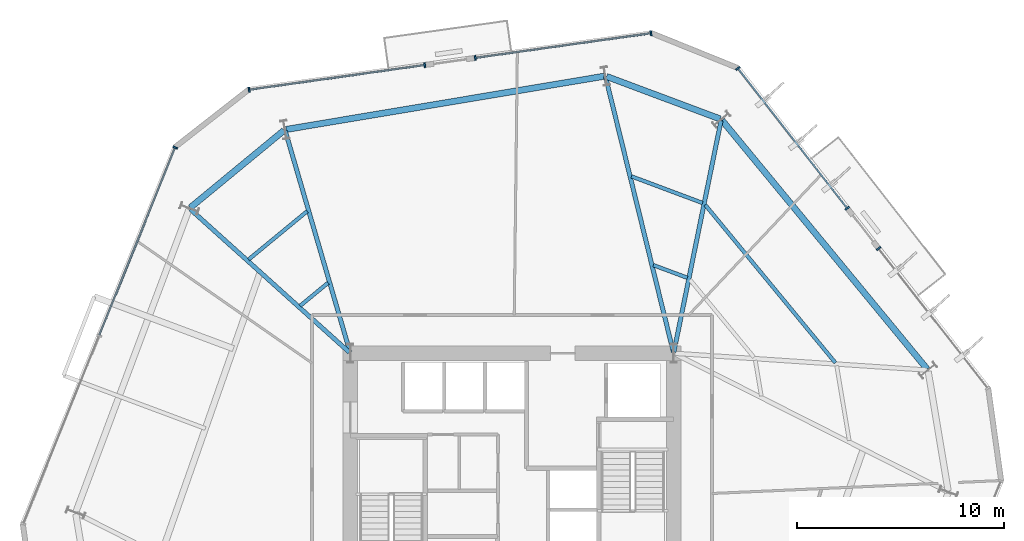
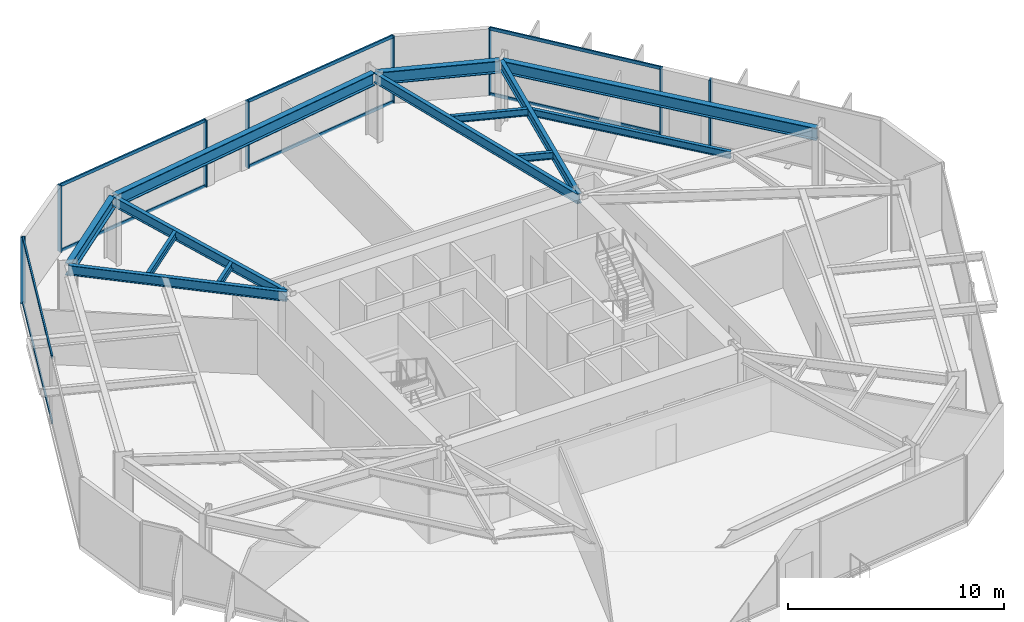
# One storey, part 4 of 10: 16 members, 13 beams, 5 elements without a shape of their own.
"""IFC4 building model written with IfcOpenShell, lengths in metres."""

from ifc_helpers import new_model, si_unit, direction, frame, origin, origin_2d, place, context, subcontext, project, spatial, rectangle, i_section, extrude, material, layer, layer_set, material_profile, profile_set, type_object, element, aggregate, save


model = new_model("IFC4")

# Units and contexts
model_context = context("Model", 3, precision=1e-05, world=origin(), true_north=direction((0.0, 1.0)))
body_context = subcontext(model_context, "Body", "Model", "MODEL_VIEW")
ifc_project = project(units=[si_unit("LENGTHUNIT", "METRE"), si_unit("AREAUNIT", "SQUARE_METRE"), si_unit("VOLUMEUNIT", "CUBIC_METRE"), si_unit("PLANEANGLEUNIT", "RADIAN"), si_unit("MASSUNIT", "GRAM", prefix="KILO")], contexts=[model_context])

# Site, building, storey
site_placement = place(None, origin())
site = spatial("IfcSite", under=ifc_project, at=site_placement, CompositionType="ELEMENT")
building_placement = place(site_placement, origin())
building = spatial("IfcBuilding", under=site, at=building_placement, Name="Kranzbogen Civic Tower", CompositionType="ELEMENT")
storey_placement = place(building_placement, frame((0.0, 0.0, 52.0)))
storey = spatial("IfcBuildingStorey", under=building, at=storey_placement, Name="L12", CompositionType="ELEMENT", Elevation=52.0)

# Curtain wall, member
ifc_material_1 = material(Name="Pale Anodised Aluminium", Category="aluminium")
ifc_layer = layer(ifc_material_1, 0.219970703125, Name="Pale Anodised Aluminium")
ifc_layer_set = layer_set([ifc_layer], Name="Pale Anodised Aluminium")
curtain_wall_type = type_object("IfcCurtainWallType", Name="Zone 1 Stick Curtain Wall System CW-02", PredefinedType="USERDEFINED", material=ifc_layer_set)
curtain_wall_1_placement = place(storey_placement, origin())
curtain_wall_1 = element("IfcCurtainWall", 1, at=curtain_wall_1_placement, inside=storey, type_object=curtain_wall_type, Name="L12 curtain wall CW-L12-F1-S1", ObjectType="STICK CURTAIN WALL", PredefinedType="USERDEFINED")
ifc_material_profile_1 = material_profile(ifc_material_1, rectangle(XDim=0.080078125, YDim=0.239990234375, at=origin_2d()), Name="ALU-M 80x240")
ifc_profile_set_1 = profile_set([ifc_material_profile_1], Name="Pale Anodised Aluminium")
member_type_1 = type_object("IfcMemberType", Name="Curtain Wall Mullion ALU-M 80x240", PredefinedType="MULLION", material=ifc_profile_set_1)
member_1_placement = place(storey_placement, frame((42.6884765625, 37.25830078125, 0.0), z_axis=(0.0, 0.0, 1.0), x_axis=(-0.615657546706, 0.788013822965, 0.0)))
member_1 = element("IfcMember", 2, at=member_1_placement, type_object=member_type_1, Name="CW-02 mullion 2", PredefinedType="MULLION", context=body_context, shape_type="SweptSolid", body=[
    extrude(rectangle(XDim=0.080078125, YDim=0.239990234375, at=origin_2d()), origin(), (0.0, 0.0, 1.0), 3.760009765625),
])
aggregate(curtain_wall_1, [member_1])

# Curtain wall, members
curtain_wall_2_placement = place(storey_placement, origin())
curtain_wall_2 = element("IfcCurtainWall", 3, at=curtain_wall_2_placement, inside=storey, type_object=curtain_wall_type, Name="L12 curtain wall CW-L12-F1-S2", ObjectType="STICK CURTAIN WALL", PredefinedType="USERDEFINED")
member_2_placement = place(storey_placement, frame((41.173583984375, 39.196533203125, 0.0), z_axis=(0.0, 0.0, 1.0), x_axis=(-0.615657546706, 0.788013822965, 0.0)))
member_2 = element("IfcMember", 4, at=member_2_placement, type_object=member_type_1, Name="CW-02 mullion 1", PredefinedType="MULLION", context=body_context, shape_type="SweptSolid", body=[
    extrude(rectangle(XDim=0.080078125, YDim=0.239990234375, at=origin_2d()), origin(), (0.0, 0.0, 1.0), 3.760009765625),
])
member_3_placement = place(storey_placement, frame((35.902587890625, 45.943359375, 0.0), z_axis=(0.0, 0.0, 1.0), x_axis=(-0.615657546706, 0.788013822965, 0.0)))
member_3 = element("IfcMember", 5, at=member_3_placement, type_object=member_type_1, Name="CW-02 mullion 2", PredefinedType="MULLION", context=body_context, shape_type="SweptSolid", body=[
    extrude(rectangle(XDim=0.080078125, YDim=0.239990234375, at=origin_2d()), origin(), (0.0, 0.0, 1.0), 3.760009765625),
])

curtain_wall_3_placement = place(storey_placement, origin())
curtain_wall_3 = element("IfcCurtainWall", 6, at=curtain_wall_3_placement, inside=storey, type_object=curtain_wall_type, Name="L12 curtain wall CW-L12-F2-S1", ObjectType="STICK CURTAIN WALL", PredefinedType="USERDEFINED")
member_4_placement = place(storey_placement, frame((31.706298828125, 47.638916015625, 0.0), z_axis=(0.0, 0.0, 1.0), x_axis=(-0.990267072018, -0.139180192835, 0.0)))
member_4 = element("IfcMember", 7, at=member_4_placement, type_object=member_type_1, Name="CW-02 mullion 1", PredefinedType="MULLION", context=body_context, shape_type="SweptSolid", body=[
    extrude(rectangle(XDim=0.080078125, YDim=0.239990234375, at=origin_2d()), origin(), (0.0, 0.0, 1.0), 3.760009765625),
])
member_5_placement = place(storey_placement, frame((23.227783203125, 46.447265625, 0.0), z_axis=(0.0, 0.0, 1.0), x_axis=(-0.990267072018, -0.139180192835, 0.0)))
member_5 = element("IfcMember", 8, at=member_5_placement, type_object=member_type_1, Name="CW-02 mullion 2", PredefinedType="MULLION", context=body_context, shape_type="SweptSolid", body=[
    extrude(rectangle(XDim=0.080078125, YDim=0.239990234375, at=origin_2d()), origin(), (0.0, 0.0, 1.0), 3.760009765625),
])

curtain_wall_4_placement = place(storey_placement, origin())
curtain_wall_4 = element("IfcCurtainWall", 9, at=curtain_wall_4_placement, inside=storey, type_object=curtain_wall_type, Name="L12 curtain wall CW-L12-F2-S2", ObjectType="STICK CURTAIN WALL", PredefinedType="USERDEFINED")
member_6_placement = place(storey_placement, frame((20.792236328125, 46.104736328125, 0.0), z_axis=(0.0, 0.0, 1.0), x_axis=(-0.990269318362, -0.139164209161, 0.0)))
member_6 = element("IfcMember", 10, at=member_6_placement, type_object=member_type_1, Name="CW-02 mullion 1", PredefinedType="MULLION", context=body_context, shape_type="SweptSolid", body=[
    extrude(rectangle(XDim=0.080078125, YDim=0.239990234375, at=origin_2d()), origin(), (0.0, 0.0, 1.0), 3.760009765625),
])
member_7_placement = place(storey_placement, frame((12.312744140625, 44.9130859375, 0.0), z_axis=(0.0, 0.0, 1.0), x_axis=(-0.990269318362, -0.139164209161, 0.0)))
member_7 = element("IfcMember", 11, at=member_7_placement, type_object=member_type_1, Name="CW-02 mullion 2", PredefinedType="MULLION", context=body_context, shape_type="SweptSolid", body=[
    extrude(rectangle(XDim=0.080078125, YDim=0.239990234375, at=origin_2d()), origin(), (0.0, 0.0, 1.0), 3.760009765625),
])

# Curtain wall, member
curtain_wall_5_placement = place(storey_placement, origin())
curtain_wall_5 = element("IfcCurtainWall", 12, at=curtain_wall_5_placement, inside=storey, type_object=curtain_wall_type, Name="L12 curtain wall CW-L12-F3", ObjectType="STICK CURTAIN WALL", PredefinedType="USERDEFINED")
member_8_placement = place(storey_placement, frame((8.746826171875, 42.127197265625, 0.0), z_axis=(0.0, 0.0, 1.0), x_axis=(-0.374583413468, -0.927193219537, 0.0)))
member_8 = element("IfcMember", 13, at=member_8_placement, type_object=member_type_1, Name="CW-02 mullion 1", PredefinedType="MULLION", context=body_context, shape_type="SweptSolid", body=[
    extrude(rectangle(XDim=0.080078125, YDim=0.239990234375, at=origin_2d()), origin(), (0.0, 0.0, 1.0), 3.760009765625),
])

# Member
ifc_material_profile_2 = material_profile(ifc_material_1, rectangle(XDim=0.080078125, YDim=0.179931640625, at=origin_2d()), Name="ALU-T 80x180")
ifc_profile_set_2 = profile_set([ifc_material_profile_2], Name="Pale Anodised Aluminium")
member_type_2 = type_object("IfcMemberType", Name="Curtain Wall Transom ALU-T 80x180", PredefinedType="USERDEFINED", material=ifc_profile_set_2)
member_9_placement = place(storey_placement, frame((41.155029296875, 39.22021484375, 0.030029296875), z_axis=(-0.615656859038, 0.788014360224, 0.0), x_axis=(-0.788014360224, -0.615656859038, 0.0)))
member_9 = element("IfcMember", 14, at=member_9_placement, type_object=member_type_2, Name="CW-02 transom 1.1", ObjectType="TRANSOM", PredefinedType="USERDEFINED", context=body_context, shape_type="SweptSolid", body=[
    extrude(rectangle(XDim=0.080078125, YDim=0.179931640625, at=origin_2d()), origin(), (0.0, 0.0, 1.0), 8.501708984375),
])

member_10_placement = place(storey_placement, frame((41.155029296875, 39.22021484375, 3.72998046875), z_axis=(-0.615656859038, 0.788014360224, 0.0), x_axis=(-0.788014360224, -0.615656859038, 0.0)))
member_10 = element("IfcMember", 15, at=member_10_placement, type_object=member_type_2, Name="CW-02 transom 1.2", ObjectType="TRANSOM", PredefinedType="USERDEFINED", context=body_context, shape_type="SweptSolid", body=[
    extrude(rectangle(XDim=0.080078125, YDim=0.179931640625, at=origin_2d()), origin(), (0.0, 0.0, 1.0), 8.501708984375),
])

aggregate(curtain_wall_2, [member_2, member_3, member_9, member_10])

member_11_placement = place(storey_placement, frame((31.676513671875, 47.634765625, 0.030029296875), z_axis=(-0.990266290459, -0.139185753512, 0.0), x_axis=(0.139185753512, -0.990266290459, 0.0)))
member_11 = element("IfcMember", 16, at=member_11_placement, type_object=member_type_2, Name="CW-02 transom 1.1", ObjectType="TRANSOM", PredefinedType="USERDEFINED", context=body_context, shape_type="SweptSolid", body=[
    extrude(rectangle(XDim=0.080078125, YDim=0.179931640625, at=origin_2d()), origin(), (0.0, 0.0, 1.0), 8.501953125),
])

member_12_placement = place(storey_placement, frame((31.676513671875, 47.634765625, 3.72998046875), z_axis=(-0.990266290459, -0.139185753512, 0.0), x_axis=(0.139185753512, -0.990266290459, 0.0)))
member_12 = element("IfcMember", 17, at=member_12_placement, type_object=member_type_2, Name="CW-02 transom 1.2", ObjectType="TRANSOM", PredefinedType="USERDEFINED", context=body_context, shape_type="SweptSolid", body=[
    extrude(rectangle(XDim=0.080078125, YDim=0.179931640625, at=origin_2d()), origin(), (0.0, 0.0, 1.0), 8.501953125),
])

aggregate(curtain_wall_3, [member_4, member_5, member_11, member_12])

member_13_placement = place(storey_placement, frame((20.7626953125, 46.1005859375, 0.030029296875), z_axis=(-0.990268515291, -0.139169923559, 0.0), x_axis=(0.139169923559, -0.990268515291, 0.0)))
member_13 = element("IfcMember", 18, at=member_13_placement, type_object=member_type_2, Name="CW-02 transom 1.1", ObjectType="TRANSOM", PredefinedType="USERDEFINED", context=body_context, shape_type="SweptSolid", body=[
    extrude(rectangle(XDim=0.080078125, YDim=0.179931640625, at=origin_2d()), origin(), (0.0, 0.0, 1.0), 8.5029296875),
])

member_14_placement = place(storey_placement, frame((20.7626953125, 46.1005859375, 3.72998046875), z_axis=(-0.990268515291, -0.139169923559, 0.0), x_axis=(0.139169923559, -0.990268515291, 0.0)))
member_14 = element("IfcMember", 19, at=member_14_placement, type_object=member_type_2, Name="CW-02 transom 1.2", ObjectType="TRANSOM", PredefinedType="USERDEFINED", context=body_context, shape_type="SweptSolid", body=[
    extrude(rectangle(XDim=0.080078125, YDim=0.179931640625, at=origin_2d()), origin(), (0.0, 0.0, 1.0), 8.5029296875),
])

aggregate(curtain_wall_4, [member_6, member_7, member_13, member_14])

member_15_placement = place(storey_placement, frame((8.735595703125, 42.099365234375, 0.030029296875), z_axis=(-0.374584999088, -0.927192578949, 0.0), x_axis=(0.927192578949, -0.374584999088, 0.0)))
member_15 = element("IfcMember", 20, at=member_15_placement, type_object=member_type_2, Name="CW-02 transom 1.1", ObjectType="TRANSOM", PredefinedType="USERDEFINED", context=body_context, shape_type="SweptSolid", body=[
    extrude(rectangle(XDim=0.080078125, YDim=0.179931640625, at=origin_2d()), origin(), (0.0, 0.0, 1.0), 9.7314453125),
])

member_16_placement = place(storey_placement, frame((8.735595703125, 42.099365234375, 3.72998046875), z_axis=(-0.374584999088, -0.927192578949, 0.0), x_axis=(0.927192578949, -0.374584999088, 0.0)))
member_16 = element("IfcMember", 21, at=member_16_placement, type_object=member_type_2, Name="CW-02 transom 1.2", ObjectType="TRANSOM", PredefinedType="USERDEFINED", context=body_context, shape_type="SweptSolid", body=[
    extrude(rectangle(XDim=0.080078125, YDim=0.179931640625, at=origin_2d()), origin(), (0.0, 0.0, 1.0), 9.7314453125),
])

aggregate(curtain_wall_5, [member_8, member_15, member_16])

# Beams
ifc_material_2 = material(Name="Steel S355", Category="steel")
ifc_material_profile_3 = material_profile(ifc_material_2, i_section(OverallWidth=0.300048828125, OverallDepth=0.699951171875, WebThickness=0.01708984375, FlangeThickness=0.031982421875, at=origin_2d()), Name="HEB 700")
ifc_profile_set_3 = profile_set([ifc_material_profile_3], Name="Steel S355")
beam_type_1 = type_object("IfcBeamType", Name="Perimeter Tube Spandrel Beam HEB 700", PredefinedType="SPANDREL", material=ifc_profile_set_3)
beam_1_placement = place(storey_placement, frame((45.033935546875, 31.431884765625, 3.409912109375), z_axis=(-0.636074572579, 0.771627590304, 0.0), x_axis=(-0.771627590304, -0.636074572579, 0.0)))
element("IfcBeam", 22, at=beam_1_placement, inside=storey, type_object=beam_type_1, Name="L12 perimeter spandrel beam 08", PredefinedType="SPANDREL", context=body_context, shape_type="SweptSolid", body=[
    extrude(i_section(OverallWidth=0.300048828125, OverallDepth=0.699951171875, WebThickness=0.01708984375, FlangeThickness=0.031982421875, at=origin_2d()), origin(), (0.0, 0.0, 1.0), 15.5595703125),
])
beam_2_placement = place(storey_placement, frame((35.04296875, 43.5048828125, 3.409912109375), z_axis=(-0.936647646965, 0.350273015568, 0.0), x_axis=(-0.350273015568, -0.936647646965, 0.0)))
element("IfcBeam", 23, at=beam_2_placement, inside=storey, type_object=beam_type_1, Name="L12 perimeter spandrel beam 09", PredefinedType="SPANDREL", context=body_context, shape_type="SweptSolid", body=[
    extrude(i_section(OverallWidth=0.300048828125, OverallDepth=0.699951171875, WebThickness=0.01708984375, FlangeThickness=0.031982421875, at=origin_2d()), origin(), (0.0, 0.0, 1.0), 5.852783203125),
])
beam_3_placement = place(storey_placement, frame((29.446044921875, 45.56591796875, 3.409912109375), z_axis=(-0.986285563243, -0.165047834697, 0.0), x_axis=(0.165047834697, -0.986285563243, 0.0)))
element("IfcBeam", 24, at=beam_3_placement, inside=storey, type_object=beam_type_1, Name="L12 perimeter spandrel beam 10", PredefinedType="SPANDREL", context=body_context, shape_type="SweptSolid", body=[
    extrude(i_section(OverallWidth=0.300048828125, OverallDepth=0.699951171875, WebThickness=0.01708984375, FlangeThickness=0.031982421875, at=origin_2d()), origin(), (0.0, 0.0, 1.0), 15.558349609375),
])
beam_4_placement = place(storey_placement, frame((13.99609375, 42.949951171875, 3.409912109375), z_axis=(-0.77168336865, -0.636006901337, 0.0), x_axis=(0.636006901337, -0.77168336865, 0.0)))
element("IfcBeam", 25, at=beam_4_placement, inside=storey, type_object=beam_type_1, Name="L12 perimeter spandrel beam 11", PredefinedType="SPANDREL", context=body_context, shape_type="SweptSolid", body=[
    extrude(i_section(OverallWidth=0.300048828125, OverallDepth=0.699951171875, WebThickness=0.01708984375, FlangeThickness=0.031982421875, at=origin_2d()), origin(), (0.0, 0.0, 1.0), 5.853515625),
])
ifc_material_profile_4 = material_profile(ifc_material_2, i_section(OverallWidth=0.2099609375, OverallDepth=0.550048828125, WebThickness=0.010986328125, FlangeThickness=0.01708984375, at=origin_2d()), Name="IPE 550")
ifc_profile_set_4 = profile_set([ifc_material_profile_4], Name="Steel S355")
beam_type_2 = type_object("IfcBeamType", Name="Radial Tower Floor Girder IPE 550", PredefinedType="BEAM", material=ifc_profile_set_4)
beam_5_placement = place(storey_placement, frame((35.0869140625, 43.425048828125, 3.485107421875), z_axis=(-0.199633433694, -0.979870650725, 0.0), x_axis=(0.979870650725, -0.199633433694, 0.0)))
element("IfcBeam", 26, at=beam_5_placement, inside=storey, type_object=beam_type_2, Name="L12 radial floor girder 09", PredefinedType="BEAM", context=body_context, shape_type="SweptSolid", body=[
    extrude(i_section(OverallWidth=0.2099609375, OverallDepth=0.550048828125, WebThickness=0.010986328125, FlangeThickness=0.01708984375, at=origin_2d()), origin(), (0.0, 0.0, 1.0), 11.3955078125),
])
beam_6_placement = place(storey_placement, frame((29.51904296875, 45.51806640625, 3.485107421875), z_axis=(0.239215348776, -0.970966537482, 0.0), x_axis=(0.970966537482, 0.239215348776, 0.0)))
element("IfcBeam", 27, at=beam_6_placement, inside=storey, type_object=beam_type_2, Name="L12 radial floor girder 10", PredefinedType="BEAM", context=body_context, shape_type="SweptSolid", body=[
    extrude(i_section(OverallWidth=0.2099609375, OverallDepth=0.550048828125, WebThickness=0.010986328125, FlangeThickness=0.01708984375, at=origin_2d()), origin(), (0.0, 0.0, 1.0), 13.656494140625),
])
beam_7_placement = place(storey_placement, frame((14.05908203125, 42.929931640625, 3.485107421875), z_axis=(0.280944131918, -0.959724124288, 0.0), x_axis=(0.959724124288, 0.280944131918, 0.0)))
element("IfcBeam", 28, at=beam_7_placement, inside=storey, type_object=beam_type_2, Name="L12 radial floor girder 11", PredefinedType="BEAM", context=body_context, shape_type="SweptSolid", body=[
    extrude(i_section(OverallWidth=0.2099609375, OverallDepth=0.550048828125, WebThickness=0.010986328125, FlangeThickness=0.01708984375, at=origin_2d()), origin(), (0.0, 0.0, 1.0), 11.11962890625),
])
beam_8_placement = place(storey_placement, frame((9.47802734375, 39.14892578125, 3.485107421875), z_axis=(0.743311776894, -0.668945141496, 0.0), x_axis=(0.668945141496, 0.743311776894, 0.0)))
element("IfcBeam", 29, at=beam_8_placement, inside=storey, type_object=beam_type_2, Name="L12 radial floor girder 12", PredefinedType="BEAM", context=body_context, shape_type="SweptSolid", body=[
    extrude(i_section(OverallWidth=0.2099609375, OverallDepth=0.550048828125, WebThickness=0.010986328125, FlangeThickness=0.01708984375, at=origin_2d()), origin(), (0.0, 0.0, 1.0), 10.328125),
])
ifc_material_profile_5 = material_profile(ifc_material_2, i_section(OverallWidth=0.179931640625, OverallDepth=0.39990234375, WebThickness=0.008544921875, FlangeThickness=0.013427734375, at=origin_2d()), Name="IPE 400")
ifc_profile_set_5 = profile_set([ifc_material_profile_5], Name="Steel S355")
beam_type_3 = type_object("IfcBeamType", Name="Secondary Composite Floor Joist IPE 400", PredefinedType="JOIST", material=ifc_profile_set_5)
beam_9_placement = place(storey_placement, frame((40.60302734375, 31.740966796875, 3.56005859375), z_axis=(-0.636094561772, 0.771611112209, 0.0), x_axis=(-0.771611112209, -0.636094561772, 0.0)))
element("IfcBeam", 30, at=beam_9_placement, inside=storey, type_object=beam_type_3, Name="L12 secondary floor joist 1.08", PredefinedType="JOIST", context=body_context, shape_type="SweptSolid", body=[
    extrude(i_section(OverallWidth=0.179931640625, OverallDepth=0.39990234375, WebThickness=0.008544921875, FlangeThickness=0.013427734375, at=origin_2d()), origin(), (0.0, 0.0, 1.0), 9.874267578125),
])
beam_10_placement = place(storey_placement, frame((34.196044921875, 39.449951171875, 3.56005859375), z_axis=(-0.936622008794, 0.350341565678, 0.0), x_axis=(-0.350341565678, -0.936622008794, 0.0)))
element("IfcBeam", 31, at=beam_10_placement, inside=storey, type_object=beam_type_3, Name="L12 secondary floor joist 1.09", PredefinedType="JOIST", context=body_context, shape_type="SweptSolid", body=[
    extrude(i_section(OverallWidth=0.179931640625, OverallDepth=0.39990234375, WebThickness=0.008544921875, FlangeThickness=0.013427734375, at=origin_2d()), origin(), (0.0, 0.0, 1.0), 3.662109375),
])
beam_11_placement = place(storey_placement, frame((33.4609375, 35.839111328125, 3.56005859375), z_axis=(-0.936735458815, 0.350038112495, 0.0), x_axis=(-0.350038112495, -0.936735458815, 0.0)))
element("IfcBeam", 32, at=beam_11_placement, inside=storey, type_object=beam_type_3, Name="L12 secondary floor joist 2.09", PredefinedType="JOIST", context=body_context, shape_type="SweptSolid", body=[
    extrude(i_section(OverallWidth=0.179931640625, OverallDepth=0.39990234375, WebThickness=0.008544921875, FlangeThickness=0.013427734375, at=origin_2d()), origin(), (0.0, 0.0, 1.0), 1.750732421875),
])
beam_12_placement = place(storey_placement, frame((15.116943359375, 39.052978515625, 3.56005859375), z_axis=(-0.771712720426, -0.635971286406, 0.0), x_axis=(0.635971286406, -0.771712720426, 0.0)))
element("IfcBeam", 33, at=beam_12_placement, inside=storey, type_object=beam_type_3, Name="L12 secondary floor joist 1.11", PredefinedType="JOIST", context=body_context, shape_type="SweptSolid", body=[
    extrude(i_section(OverallWidth=0.179931640625, OverallDepth=0.39990234375, WebThickness=0.008544921875, FlangeThickness=0.013427734375, at=origin_2d()), origin(), (0.0, 0.0, 1.0), 3.661865234375),
])
beam_13_placement = place(storey_placement, frame((16.1279296875, 35.60107421875, 3.56005859375), z_axis=(-0.771773324836, -0.635897739477, 0.0), x_axis=(0.635897739477, -0.771773324836, 0.0)))
element("IfcBeam", 34, at=beam_13_placement, inside=storey, type_object=beam_type_3, Name="L12 secondary floor joist 2.11", PredefinedType="JOIST", context=body_context, shape_type="SweptSolid", body=[
    extrude(i_section(OverallWidth=0.179931640625, OverallDepth=0.39990234375, WebThickness=0.008544921875, FlangeThickness=0.013427734375, at=origin_2d()), origin(), (0.0, 0.0, 1.0), 1.751953125),
])

save(model, "model.ifc")
